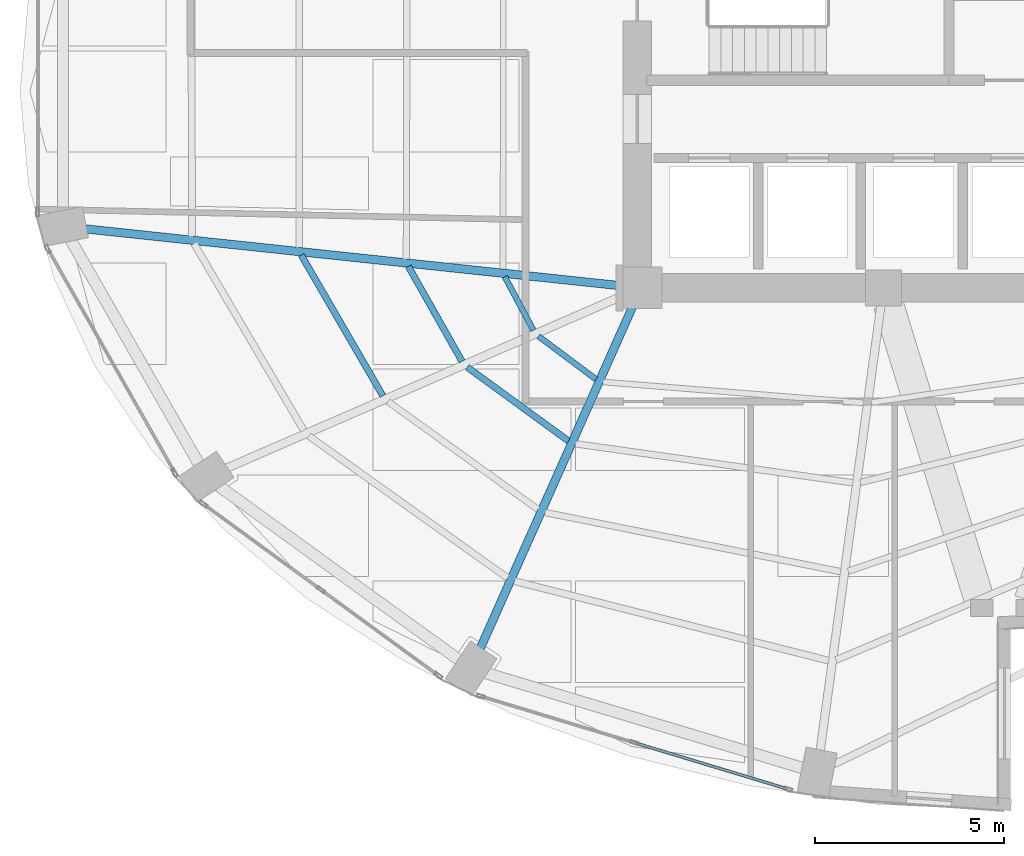
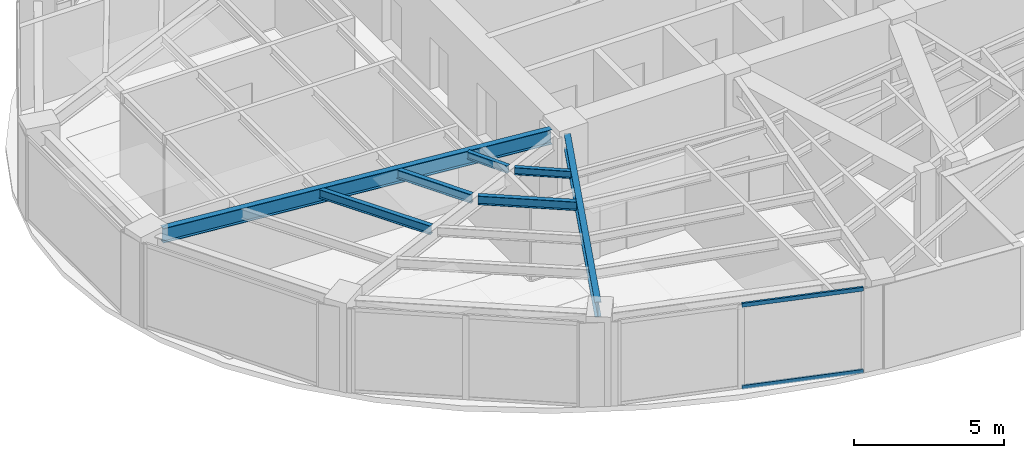
# One storey, part 4 of 23: 7 beams, 2 members, 1 element without a shape of its own.
"""IFC4 building model written with IfcOpenShell, lengths in metres."""

from ifc_helpers import new_model, si_unit, direction, frame, origin, origin_2d, place, context, subcontext, project, spatial, hollow_rectangle, i_section, extrude, material, layer, layer_set, material_profile, profile_set, type_object, element, aggregate, save


model = new_model("IFC4")

# Units and contexts
model_context = context("Model", 3, precision=1e-05, world=origin(), true_north=direction((0.0, 1.0)))
body_context = subcontext(model_context, "Body", "Model", "MODEL_VIEW")
ifc_project = project(units=[si_unit("LENGTHUNIT", "METRE"), si_unit("AREAUNIT", "SQUARE_METRE"), si_unit("VOLUMEUNIT", "CUBIC_METRE"), si_unit("PLANEANGLEUNIT", "RADIAN"), si_unit("MASSUNIT", "GRAM", prefix="KILO")], contexts=[model_context])

# Site, building, storey
site_placement = place(None, origin())
site = spatial("IfcSite", under=ifc_project, at=site_placement, CompositionType="ELEMENT")
building_placement = place(site_placement, origin())
building = spatial("IfcBuilding", under=site, at=building_placement, Name="Lazwardi Medical Tower", CompositionType="ELEMENT")
storey_placement = place(building_placement, frame((0.0, 0.0, 85.39208984375)))
storey = spatial("IfcBuildingStorey", under=building, at=storey_placement, Name="L21", CompositionType="ELEMENT", Elevation=85.39208984375)

# Beams
ifc_material_1 = material(Name="Steel S355", Category="steel")
ifc_material_profile_1 = material_profile(ifc_material_1, i_section(OverallWidth=0.219970703125, OverallDepth=0.60009765625, WebThickness=0.011962890625, FlangeThickness=0.01904296875, at=origin_2d()), Name="IPE 600")
ifc_profile_set_1 = profile_set([ifc_material_profile_1], Name="Steel S355")
beam_type_1 = type_object("IfcBeamType", Name="BM-RG-W1", PredefinedType="BEAM", material=ifc_profile_set_1)
beam_1_placement = place(storey_placement, frame((11.7138671875, 21.958984375, 3.1279296875), z_axis=(0.994413340753, -0.10555618282, 0.0), x_axis=(0.10555618282, 0.994413340753, 0.0)))
element("IfcBeam", 1, at=beam_1_placement, inside=storey, type_object=beam_type_1, Name="Radial girder RG-02 R13 L21", PredefinedType="BEAM", context=body_context, shape_type="SweptSolid", body=[
    extrude(i_section(OverallWidth=0.219970703125, OverallDepth=0.60009765625, WebThickness=0.011962890625, FlangeThickness=0.01904296875, at=origin_2d()), origin(), (0.0, 0.0, 1.0), 14.233642578125),
])
beam_2_placement = place(storey_placement, frame((22.152587890625, 10.872314453125, 3.1279296875), z_axis=(0.407165924957, 0.913354208155, 0.0), x_axis=(-0.913354208155, 0.407165924957, 0.0)))
element("IfcBeam", 2, at=beam_2_placement, inside=storey, type_object=beam_type_1, Name="Radial girder RG-02 R15 L21", PredefinedType="BEAM", context=body_context, shape_type="SweptSolid", body=[
    extrude(i_section(OverallWidth=0.219970703125, OverallDepth=0.60009765625, WebThickness=0.011962890625, FlangeThickness=0.01904296875, at=origin_2d()), origin(), (0.0, 0.0, 1.0), 9.896484375),
])
ifc_material_profile_2 = material_profile(ifc_material_1, i_section(OverallWidth=0.169921875, OverallDepth=0.360107421875, WebThickness=0.008056640625, FlangeThickness=0.0126953125, at=origin_2d()), Name="IPE 360")
ifc_profile_set_2 = profile_set([ifc_material_profile_2], Name="Steel S355")
beam_type_2 = type_object("IfcBeamType", Name="BM-SJ-02", PredefinedType="JOIST", material=ifc_profile_set_2)
beam_3_placement = place(storey_placement, frame((17.42822265625, 21.26708984375, 3.247802734375), z_axis=(0.501365325212, -0.865235696602, 0.0), x_axis=(0.865235696602, 0.501365325212, 0.0)))
element("IfcBeam", 3, at=beam_3_placement, inside=storey, type_object=beam_type_2, Name="Secondary joist SJ-02 R2 B13 L21", PredefinedType="JOIST", context=body_context, shape_type="SweptSolid", body=[
    extrude(i_section(OverallWidth=0.169921875, OverallDepth=0.360107421875, WebThickness=0.008056640625, FlangeThickness=0.0126953125, at=origin_2d()), origin(), (0.0, 0.0, 1.0), 4.298828125),
])
beam_4_placement = place(storey_placement, frame((20.258056640625, 20.966064453125, 3.247802734375), z_axis=(0.492026539517, -0.870580199873, 0.0), x_axis=(0.870580199873, 0.492026539517, 0.0)))
element("IfcBeam", 4, at=beam_4_placement, inside=storey, type_object=beam_type_2, Name="Secondary joist SJ-02 R3 B13 L21", PredefinedType="JOIST", context=body_context, shape_type="SweptSolid", body=[
    extrude(i_section(OverallWidth=0.169921875, OverallDepth=0.360107421875, WebThickness=0.008056640625, FlangeThickness=0.0126953125, at=origin_2d()), origin(), (0.0, 0.0, 1.0), 2.880859375),
])
beam_5_placement = place(storey_placement, frame((21.81201171875, 18.3046875, 3.247802734375), z_axis=(0.808301737247, -0.588768461761, 0.0), x_axis=(0.588768461761, 0.808301737247, 0.0)))
element("IfcBeam", 5, at=beam_5_placement, inside=storey, type_object=beam_type_2, Name="Secondary joist SJ-02 R3 B14 L21", PredefinedType="JOIST", context=body_context, shape_type="SweptSolid", body=[
    extrude(i_section(OverallWidth=0.169921875, OverallDepth=0.360107421875, WebThickness=0.008056640625, FlangeThickness=0.0126953125, at=origin_2d()), origin(), (0.0, 0.0, 1.0), 3.307373046875),
])
ifc_material_profile_3 = material_profile(ifc_material_1, i_section(OverallWidth=0.14990234375, OverallDepth=0.300048828125, WebThickness=0.007080078125, FlangeThickness=0.0107421875, at=origin_2d()), Name="IPE 300")
ifc_profile_set_3 = profile_set([ifc_material_profile_3], Name="Steel S355")
beam_type_3 = type_object("IfcBeamType", Name="BM-SJ-03", PredefinedType="JOIST", material=ifc_profile_set_3)
beam_6_placement = place(storey_placement, frame((22.8037109375, 20.6943359375, 3.27783203125), z_axis=(0.471022344925, -0.882121278839, 0.0), x_axis=(0.882121278839, 0.471022344925, 0.0)))
element("IfcBeam", 6, at=beam_6_placement, inside=storey, type_object=beam_type_3, Name="Secondary joist SJ-03 R4 B13 L21", PredefinedType="JOIST", context=body_context, shape_type="SweptSolid", body=[
    extrude(i_section(OverallWidth=0.14990234375, OverallDepth=0.300048828125, WebThickness=0.007080078125, FlangeThickness=0.0107421875, at=origin_2d()), origin(), (0.0, 0.0, 1.0), 1.605224609375),
])
beam_7_placement = place(storey_placement, frame((23.693359375, 19.12255859375, 3.27783203125), z_axis=(0.800447687995, -0.599402618265, 0.0), x_axis=(0.599402618265, 0.800447687995, 0.0)))
element("IfcBeam", 7, at=beam_7_placement, inside=storey, type_object=beam_type_3, Name="Secondary joist SJ-03 R4 B14 L21", PredefinedType="JOIST", context=body_context, shape_type="SweptSolid", body=[
    extrude(i_section(OverallWidth=0.14990234375, OverallDepth=0.300048828125, WebThickness=0.007080078125, FlangeThickness=0.0107421875, at=origin_2d()), origin(), (0.0, 0.0, 1.0), 1.896728515625),
])

# Curtain wall, members
ifc_material_2 = material(Name="Anodised bronze aluminium and solar control glazing", Category="aluminium")
ifc_layer = layer(ifc_material_2, 0.195068359375)
ifc_layer_set = layer_set([ifc_layer], Name="Anodised bronze aluminium and solar control glazing")
curtain_wall_type = type_object("IfcCurtainWallType", Name="CW-SYS-03", PredefinedType="NOTDEFINED", material=ifc_layer_set)
curtain_wall_placement = place(storey_placement, origin())
curtain_wall = element("IfcCurtainWall", 8, at=curtain_wall_placement, inside=storey, type_object=curtain_wall_type, Name="L21 Unitised bronze curtain wall CW-03", PredefinedType="NOTDEFINED")
ifc_material_3 = material(Name="Anodised bronze aluminium", Category="aluminium")
ifc_material_profile_4 = material_profile(ifc_material_3, hollow_rectangle(XDim=0.074951171875, YDim=0.159912109375, WallThickness=0.00390625, at=origin_2d()), Name="ALU-TRANSOM 160x75x4")
ifc_profile_set_4 = profile_set([ifc_material_profile_4], Name="Anodised bronze aluminium")
member_type = type_object("IfcMemberType", Name="CW-TRN-01", PredefinedType="USERDEFINED", material=ifc_profile_set_4)
member_1_placement = place(storey_placement, frame((26.2666015625, 8.3759765625, 0.037353515625), z_axis=(0.957220865985, -0.289358279168, 0.0), x_axis=(0.289358279168, 0.957220865985, 0.0)))
member_1 = element("IfcMember", 9, at=member_1_placement, type_object=member_type, Name="CW-03 transom 2.1", ObjectType="TRANSOM", PredefinedType="USERDEFINED", context=body_context, shape_type="SweptSolid", body=[
    extrude(hollow_rectangle(XDim=0.074951171875, YDim=0.159912109375, WallThickness=0.00390625, at=origin_2d()), origin(), (0.0, 0.0, 1.0), 4.16552734375),
])
member_2_placement = place(storey_placement, frame((26.2666015625, 8.3759765625, 3.390380859375), z_axis=(0.957220865985, -0.289358279168, 0.0), x_axis=(0.289358279168, 0.957220865985, 0.0)))
member_2 = element("IfcMember", 10, at=member_2_placement, type_object=member_type, Name="CW-03 transom 2.2", ObjectType="TRANSOM", PredefinedType="USERDEFINED", context=body_context, shape_type="SweptSolid", body=[
    extrude(hollow_rectangle(XDim=0.074951171875, YDim=0.159912109375, WallThickness=0.00390625, at=origin_2d()), origin(), (0.0, 0.0, 1.0), 4.16552734375),
])
aggregate(curtain_wall, [member_1, member_2])

save(model, "model.ifc")
